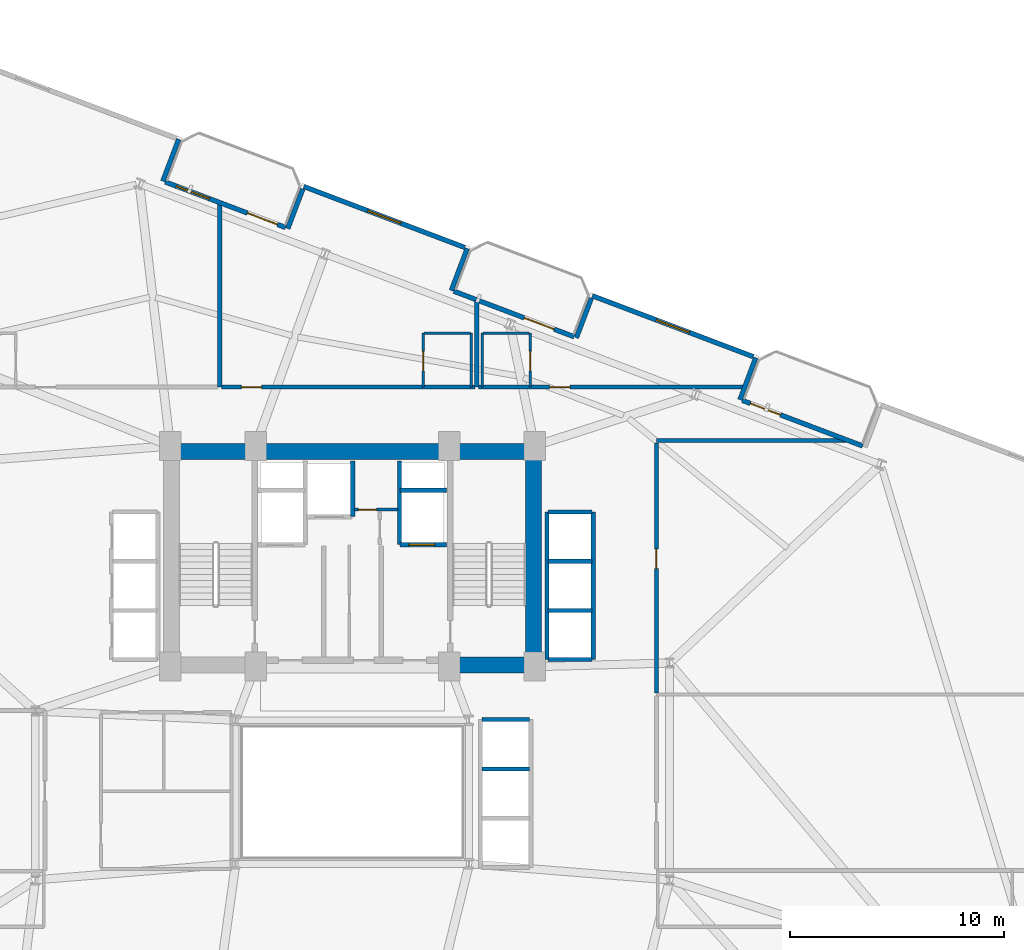
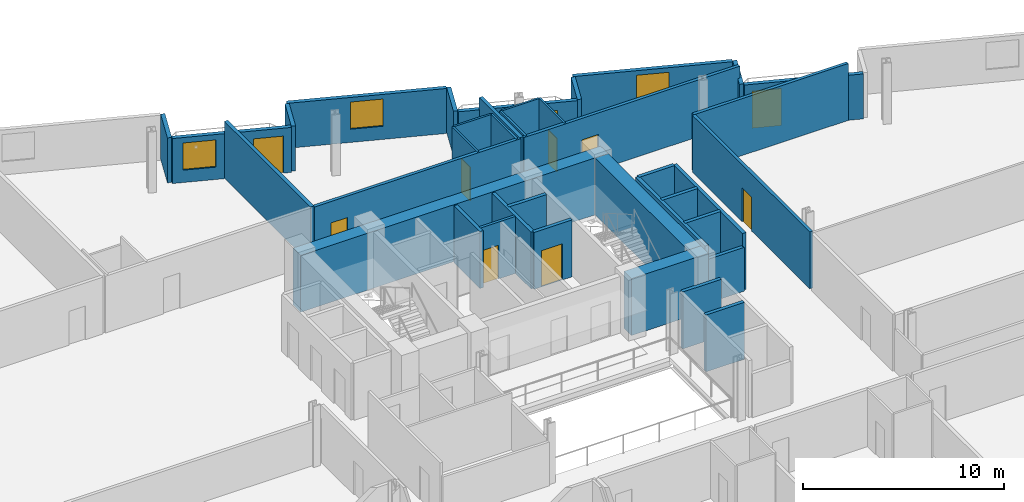
# One storey, part 21 of 26: 38 walls, 10 doors, 3 windows, 13 openings.
"""IFC4 building model written with IfcOpenShell, lengths in metres."""

from ifc_helpers import new_model, si_unit, direction, frame, frame_2d, origin, place, context, subcontext, project, spatial, rectangle, extrude, material, layer, layer_set, type_object, element, fill, save


model = new_model("IFC4")

# Units and contexts
model_context = context("Model", 3, precision=1e-05, world=origin(), true_north=direction((0.0, 1.0)))
body_context = subcontext(model_context, "Body", "Model", "MODEL_VIEW")
ifc_project = project(units=[si_unit("LENGTHUNIT", "METRE"), si_unit("AREAUNIT", "SQUARE_METRE"), si_unit("VOLUMEUNIT", "CUBIC_METRE"), si_unit("PLANEANGLEUNIT", "RADIAN"), si_unit("MASSUNIT", "GRAM", prefix="KILO")], contexts=[model_context])

# Site, building, storey
site_placement = place(None, origin())
site = spatial("IfcSite", under=ifc_project, at=site_placement, CompositionType="ELEMENT")
building_placement = place(site_placement, origin())
building = spatial("IfcBuilding", under=site, at=building_placement, Name="Varnelok Gate Tower", CompositionType="ELEMENT")
storey_placement = place(building_placement, frame((0.0, 0.0, 109.5)))
storey = spatial("IfcBuildingStorey", under=building, at=storey_placement, Name="L27", CompositionType="ELEMENT", Elevation=109.5)

# Wall, openings, door, window
ifc_material_1 = material(Name="Concrete C45/55", Category="concrete")
ifc_layer_1 = layer(ifc_material_1, 0.219970703125)
ifc_layer_set_1 = layer_set([ifc_layer_1], Name="Concrete C45/55")
wall_type_1 = type_object("IfcWallType", Name="EW-BALC-220", PredefinedType="SOLIDWALL", material=ifc_layer_set_1)
wall_1_placement = place(storey_placement, frame((30.465087890625, 51.37158203125, 0.0), z_axis=(0.0, 0.0, 1.0), x_axis=(0.935227640088, -0.354046976001, 0.0)))
wall_1 = element("IfcWall", 1, at=wall_1_placement, inside=storey, type_object=wall_type_1, Name="L27 North Terrace Envelope Wall 4", PredefinedType="SOLIDWALL", context=body_context, shape_type="SweptSolid", body=[
    extrude(rectangle(XDim=6.0, YDim=0.219970703125, at=frame_2d((3.0, 0.0))), origin(), (0.0, 0.0, 1.0), 2.72998046875),
])
opening_1_placement = place(wall_1_placement, frame((4.10009765625, 0.0, 0.0)))
opening_1 = element("IfcOpeningElement", 2, at=opening_1_placement, cuts=wall_1, Name="Opening BD-1", PredefinedType="OPENING", context=body_context, shape_type="SweptSolid", body=[
    extrude(rectangle(XDim=1.5, YDim=2.25, at=frame_2d((0.75, 1.125))), frame((0.0, 0.119873046875, 0.0), z_axis=(0.0, -1.0, 0.0), x_axis=(1.0, 0.0, 0.0)), (0.0, 0.0, 1.0), 0.239990234375),
])
opening_2_placement = place(wall_1_placement, frame((0.550048828125, 0.0, 0.75)))
opening_2 = element("IfcOpeningElement", 3, at=opening_2_placement, cuts=wall_1, Name="Opening WN3", PredefinedType="OPENING", context=body_context, shape_type="SweptSolid", body=[
    extrude(rectangle(XDim=1.64990234375, YDim=1.64990234375, at=frame_2d((0.824951171875, 0.824951171875))), frame((0.0, 0.119873046875, 0.0), z_axis=(0.0, -1.0, 0.0), x_axis=(1.0, 0.0, 0.0)), (0.0, 0.0, 1.0), 0.239990234375),
])
ifc_material_2 = material(Name="Anodized Aluminum Alloy 6063-T6", Category="aluminium")
door_type_1 = type_object("IfcDoorType", Name="DR-EXT-BALC1500", OperationType="NOTDEFINED", PredefinedType="DOOR", material=ifc_material_2)
door_1_placement = place(opening_1_placement, origin())
door_1 = element("IfcDoor", 4, at=door_1_placement, inside=storey, type_object=door_type_1, Name="L27 North Balcony Glazed Door 4", OperationType="SINGLE_SWING_LEFT", OverallHeight=2.25, OverallWidth=1.5, PredefinedType="DOOR", context=body_context, shape_type="SweptSolid", body=[
    extrude(rectangle(XDim=1.5, YDim=2.25, at=frame_2d((0.75, 1.125))), frame((0.0, 0.02490234375, 0.0), z_axis=(0.0, -1.0, 0.0), x_axis=(1.0, 0.0, 0.0)), (0.0, 0.0, 1.0), 0.050048828125),
])
fill(opening_1, door_1)
ifc_material_3 = material(Name="Low-E Laminated Double Glazing IGU", Category="glass")
window_type = type_object("IfcWindowType", Name="WN-HTL-1650", PartitioningType="SINGLE_PANEL", PredefinedType="WINDOW", material=ifc_material_3)
window_1_placement = place(opening_2_placement, origin())
window_1 = element("IfcWindow", 5, at=window_1_placement, inside=storey, type_object=window_type, Name="L27 North Vision Window 4.1", OverallHeight=1.64990234375, OverallWidth=1.64990234375, PartitioningType="SINGLE_PANEL", PredefinedType="WINDOW", context=body_context, shape_type="SweptSolid", body=[
    extrude(rectangle(XDim=1.64990234375, YDim=1.64990234375, at=frame_2d((0.824951171875, 0.824951171875))), frame((0.0, 0.030029296875, 0.0), z_axis=(0.0, -1.0, 0.0), x_axis=(1.0, 0.0, 0.0)), (0.0, 0.0, 1.0), 0.06005859375),
])
fill(opening_2, window_1)

# Wall, opening, door
wall_2_placement = place(storey_placement, frame((43.932373046875, 46.273193359375, 0.0), z_axis=(0.0, 0.0, 1.0), x_axis=(0.93521416643, -0.354082565101, 0.0)))
wall_2 = element("IfcWall", 6, at=wall_2_placement, inside=storey, type_object=wall_type_1, Name="L27 North Terrace Envelope Wall 5", PredefinedType="SOLIDWALL", context=body_context, shape_type="SweptSolid", body=[
    extrude(rectangle(XDim=6.0, YDim=0.219970703125, at=frame_2d((3.0, 0.0))), origin(), (0.0, 0.0, 1.0), 2.72998046875),
])
opening_3_placement = place(wall_2_placement, frame((3.508056640625, 0.0, 0.0)))
opening_3 = element("IfcOpeningElement", 7, at=opening_3_placement, cuts=wall_2, Name="Opening BD-1", PredefinedType="OPENING", context=body_context, shape_type="SweptSolid", body=[
    extrude(rectangle(XDim=1.5, YDim=2.25, at=frame_2d((0.75, 1.125))), frame((0.0, 0.119873046875, 0.0), z_axis=(0.0, -1.0, 0.0), x_axis=(1.0, 0.0, 0.0)), (0.0, 0.0, 1.0), 0.239990234375),
])
door_2_placement = place(opening_3_placement, origin())
door_2 = element("IfcDoor", 8, at=door_2_placement, inside=storey, type_object=door_type_1, Name="L27 North Balcony Glazed Door 5", OperationType="SINGLE_SWING_RIGHT", OverallHeight=2.25, OverallWidth=1.5, PredefinedType="DOOR", context=body_context, shape_type="SweptSolid", body=[
    extrude(rectangle(XDim=1.5, YDim=2.25, at=frame_2d((0.75, 1.125))), frame((0.0, 0.02490234375, 0.0), z_axis=(0.0, -1.0, 0.0), x_axis=(1.0, 0.0, 0.0)), (0.0, 0.0, 1.0), 0.050048828125),
])
fill(opening_3, door_2)

wall_3_placement = place(storey_placement, frame((57.3994140625, 41.174560546875, 0.0), z_axis=(0.0, 0.0, 1.0), x_axis=(0.935227640088, -0.354046976001, 0.0)))
wall_3 = element("IfcWall", 9, at=wall_3_placement, inside=storey, type_object=wall_type_1, Name="L27 North Terrace Envelope Wall 6", PredefinedType="SOLIDWALL", context=body_context, shape_type="SweptSolid", body=[
    extrude(rectangle(XDim=6.0, YDim=0.219970703125, at=frame_2d((3.0, 0.0))), origin(), (0.0, 0.0, 1.0), 2.72998046875),
])
opening_4_placement = place(wall_3_placement, frame((0.39990234375, 0.0, 0.0)))
opening_4 = element("IfcOpeningElement", 10, at=opening_4_placement, cuts=wall_3, Name="Opening BD-1", PredefinedType="OPENING", context=body_context, shape_type="SweptSolid", body=[
    extrude(rectangle(XDim=1.5, YDim=2.25, at=frame_2d((0.75, 1.125))), frame((0.0, 0.119873046875, 0.0), z_axis=(0.0, -1.0, 0.0), x_axis=(1.0, 0.0, 0.0)), (0.0, 0.0, 1.0), 0.239990234375),
])
door_3_placement = place(opening_4_placement, origin())
door_3 = element("IfcDoor", 11, at=door_3_placement, inside=storey, type_object=door_type_1, Name="L27 North Balcony Glazed Door 6", OperationType="SINGLE_SWING_LEFT", OverallHeight=2.25, OverallWidth=1.5, PredefinedType="DOOR", context=body_context, shape_type="SweptSolid", body=[
    extrude(rectangle(XDim=1.5, YDim=2.25, at=frame_2d((0.75, 1.125))), frame((0.0, 0.02490234375, 0.0), z_axis=(0.0, -1.0, 0.0), x_axis=(1.0, 0.0, 0.0)), (0.0, 0.0, 1.0), 0.050048828125),
])
fill(opening_4, door_3)

# Wall
wall_4_placement = place(storey_placement, frame((57.28369140625, 41.207763671875, 0.0), z_axis=(0.0, 0.0, 1.0), x_axis=(0.354128469405, 0.935196785258, 0.0)))
element("IfcWall", 12, at=wall_4_placement, inside=storey, type_object=wall_type_1, Name="L27 Perimeter Facade Closure Wall 31", PredefinedType="SOLIDWALL", context=body_context, shape_type="SweptSolid", body=[
    extrude(rectangle(XDim=2.099853515625, YDim=0.219970703125, at=frame_2d((1.0498046875, 0.0))), origin(), (0.0, 0.0, 1.0), 2.72998046875),
])

# Wall, opening, window
wall_5_placement = place(storey_placement, frame((57.910400390625, 43.2158203125, 0.0), z_axis=(0.0, 0.0, 1.0), x_axis=(-0.935220736163, 0.354065212427, 0.0)))
wall_5 = element("IfcWall", 13, at=wall_5_placement, inside=storey, type_object=wall_type_1, Name="L27 Perimeter Facade Closure Wall 32", PredefinedType="SOLIDWALL", context=body_context, shape_type="SweptSolid", body=[
    extrude(rectangle(XDim=8.03515625, YDim=0.219970703125, at=frame_2d((4.017578125, 0.0))), origin(), (0.0, 0.0, 1.0), 2.72998046875),
])
opening_5_placement = place(wall_5_placement, frame((3.1923828125, 0.0, 0.800048828125)))
opening_5 = element("IfcOpeningElement", 14, at=opening_5_placement, cuts=wall_5, Name="Opening WN3", PredefinedType="OPENING", context=body_context, shape_type="SweptSolid", body=[
    extrude(rectangle(XDim=1.64990234375, YDim=1.64990234375, at=frame_2d((0.824951171875, 0.824951171875))), frame((0.0, 0.119873046875, 0.0), z_axis=(0.0, -1.0, 0.0), x_axis=(1.0, 0.0, 0.0)), (0.0, 0.0, 1.0), 0.239990234375),
])
window_2_placement = place(opening_5_placement, origin())
window_2 = element("IfcWindow", 15, at=window_2_placement, inside=storey, type_object=window_type, Name="L27 Perimeter Vision Window 32", OverallHeight=1.64990234375, OverallWidth=1.64990234375, PartitioningType="SINGLE_PANEL", PredefinedType="WINDOW", context=body_context, shape_type="SweptSolid", body=[
    extrude(rectangle(XDim=1.64990234375, YDim=1.64990234375, at=frame_2d((0.824951171875, 0.824951171875))), frame((0.0, 0.030029296875, 0.0), z_axis=(0.0, -1.0, 0.0), x_axis=(1.0, 0.0, 0.0)), (0.0, 0.0, 1.0), 0.06005859375),
])
fill(opening_5, window_2)

# Walls
wall_6_placement = place(storey_placement, frame((50.3515625, 45.94384765625, 0.0), z_axis=(0.0, 0.0, 1.0), x_axis=(-0.354061611705, -0.935222099352, 0.0)))
element("IfcWall", 16, at=wall_6_placement, inside=storey, type_object=wall_type_1, Name="L27 Perimeter Facade Closure Wall 33", PredefinedType="SOLIDWALL", context=body_context, shape_type="SweptSolid", body=[
    extrude(rectangle(XDim=1.974853515625, YDim=0.219970703125, at=frame_2d((0.9873046875, 0.0))), origin(), (0.0, 0.0, 1.0), 2.72998046875),
])
wall_7_placement = place(storey_placement, frame((43.816650390625, 46.30615234375, 0.0), z_axis=(0.0, 0.0, 1.0), x_axis=(0.353988291547, 0.935249854022, 0.0)))
element("IfcWall", 17, at=wall_7_placement, inside=storey, type_object=wall_type_1, Name="L27 Perimeter Facade Closure Wall 34", PredefinedType="SOLIDWALL", context=body_context, shape_type="SweptSolid", body=[
    extrude(rectangle(XDim=2.10009765625, YDim=0.219970703125, at=frame_2d((1.050048828125, 0.0))), origin(), (0.0, 0.0, 1.0), 2.72998046875),
])

# Wall, opening, window
wall_8_placement = place(storey_placement, frame((44.443115234375, 48.314453125, 0.0), z_axis=(0.0, 0.0, 1.0), x_axis=(-0.935226988293, 0.354048697735, 0.0)))
wall_8 = element("IfcWall", 18, at=wall_8_placement, inside=storey, type_object=wall_type_1, Name="L27 Perimeter Facade Closure Wall 35", PredefinedType="SOLIDWALL", context=body_context, shape_type="SweptSolid", body=[
    extrude(rectangle(XDim=8.034912109375, YDim=0.219970703125, at=frame_2d((4.017578125, 0.0))), origin(), (0.0, 0.0, 1.0), 2.72998046875),
])
opening_6_placement = place(wall_8_placement, frame((3.1923828125, 0.0, 0.800048828125)))
opening_6 = element("IfcOpeningElement", 19, at=opening_6_placement, cuts=wall_8, Name="Opening WN3", PredefinedType="OPENING", context=body_context, shape_type="SweptSolid", body=[
    extrude(rectangle(XDim=1.64990234375, YDim=1.64990234375, at=frame_2d((0.824951171875, 0.824951171875))), frame((0.0, 0.119873046875, 0.0), z_axis=(0.0, -1.0, 0.0), x_axis=(1.0, 0.0, 0.0)), (0.0, 0.0, 1.0), 0.239990234375),
])
window_3_placement = place(opening_6_placement, origin())
window_3 = element("IfcWindow", 20, at=window_3_placement, inside=storey, type_object=window_type, Name="L27 Perimeter Vision Window 35", OverallHeight=1.64990234375, OverallWidth=1.64990234375, PartitioningType="SINGLE_PANEL", PredefinedType="WINDOW", context=body_context, shape_type="SweptSolid", body=[
    extrude(rectangle(XDim=1.64990234375, YDim=1.64990234375, at=frame_2d((0.824951171875, 0.824951171875))), frame((0.0, 0.030029296875, 0.0), z_axis=(0.0, -1.0, 0.0), x_axis=(1.0, 0.0, 0.0)), (0.0, 0.0, 1.0), 0.06005859375),
])
fill(opening_6, window_3)

# Walls
wall_9_placement = place(storey_placement, frame((36.884521484375, 51.04248046875, 0.0), z_axis=(0.0, 0.0, 1.0), x_axis=(-0.354128791944, -0.935196663123, 0.0)))
element("IfcWall", 21, at=wall_9_placement, inside=storey, type_object=wall_type_1, Name="L27 Perimeter Facade Closure Wall 36", PredefinedType="SOLIDWALL", context=body_context, shape_type="SweptSolid", body=[
    extrude(rectangle(XDim=1.97509765625, YDim=0.219970703125, at=frame_2d((0.987548828125, 0.0))), origin(), (0.0, 0.0, 1.0), 2.72998046875),
])
wall_10_placement = place(storey_placement, frame((30.349365234375, 51.40478515625, 0.0), z_axis=(0.0, 0.0, 1.0), x_axis=(0.354128469405, 0.935196785258, 0.0)))
element("IfcWall", 22, at=wall_10_placement, inside=storey, type_object=wall_type_1, Name="L27 Perimeter Facade Closure Wall 37", PredefinedType="SOLIDWALL", context=body_context, shape_type="SweptSolid", body=[
    extrude(rectangle(XDim=2.099853515625, YDim=0.219970703125, at=frame_2d((1.0498046875, 0.0))), origin(), (0.0, 0.0, 1.0), 2.72998046875),
])

# Wall, opening, door
ifc_material_4 = material(Name="Gypsum Plasterboard Acoustic Partition", Category="gypsum")
ifc_layer_2 = layer(ifc_material_4, 0.179931640625)
ifc_layer_set_2 = layer_set([ifc_layer_2], Name="Gypsum Plasterboard Acoustic Partition")
wall_type_2 = type_object("IfcWallType", Name="PW-CORR-180", PredefinedType="PARTITIONING", material=ifc_layer_set_2)
wall_11_placement = place(storey_placement, frame((33.080078125, 41.800048828125, 0.0), z_axis=(0.0, 0.0, 1.0), x_axis=(1.0, 0.0, 0.0)))
wall_11 = element("IfcWall", 23, at=wall_11_placement, inside=storey, type_object=wall_type_2, Name="Interior Partition", PredefinedType="PARTITIONING", context=body_context, shape_type="SweptSolid", body=[
    extrude(rectangle(XDim=11.83984375, YDim=0.179931640625, at=frame_2d((5.919921875, 0.0))), origin(), (0.0, 0.0, 1.0), 3.449951171875),
])
opening_7_placement = place(wall_11_placement, frame((0.936279296875, 0.0, 0.0)))
opening_7 = element("IfcOpeningElement", 24, at=opening_7_placement, cuts=wall_11, Name="Opening D-HT", PredefinedType="OPENING", context=body_context, shape_type="SweptSolid", body=[
    extrude(rectangle(XDim=0.949951171875, YDim=2.14990234375, at=frame_2d((0.47509765625, 1.074951171875))), frame((0.0, 0.099853515625, 0.0), z_axis=(0.0, -1.0, 0.0), x_axis=(1.0, 0.0, 0.0)), (0.0, 0.0, 1.0), 0.199951171875),
])
ifc_material_5 = material(Name="Engineered Hardwood Timber", Category="wood")
door_type_2 = type_object("IfcDoorType", Name="DR-HTL-950", OperationType="NOTDEFINED", PredefinedType="DOOR", material=ifc_material_5)
door_4_placement = place(opening_7_placement, origin())
door_4 = element("IfcDoor", 25, at=door_4_placement, inside=storey, type_object=door_type_2, Name="L27 Guest Room 10 Entrance Door", OperationType="SINGLE_SWING_LEFT", OverallHeight=2.14990234375, OverallWidth=0.949951171875, PredefinedType="DOOR", context=body_context, shape_type="SweptSolid", body=[
    extrude(rectangle(XDim=0.949951171875, YDim=2.14990234375, at=frame_2d((0.47509765625, 1.074951171875))), frame((0.0, 0.02490234375, 0.0), z_axis=(0.0, -1.0, 0.0), x_axis=(1.0, 0.0, 0.0)), (0.0, 0.0, 1.0), 0.050048828125),
])
fill(opening_7, door_4)

wall_12_placement = place(storey_placement, frame((45.080078125, 41.800048828125, 0.0), z_axis=(0.0, 0.0, 1.0), x_axis=(1.0, 0.0, 0.0)))
wall_12 = element("IfcWall", 26, at=wall_12_placement, inside=storey, type_object=wall_type_2, Name="Interior Partition", PredefinedType="PARTITIONING", context=body_context, shape_type="SweptSolid", body=[
    extrude(rectangle(XDim=12.406494140625, YDim=0.179931640625, at=frame_2d((6.203125, 0.0))), origin(), (0.0, 0.0, 1.0), 3.449951171875),
])
opening_8_placement = place(wall_12_placement, frame((3.328857421875, 0.0, 0.0)))
opening_8 = element("IfcOpeningElement", 27, at=opening_8_placement, cuts=wall_12, Name="Opening D-HT", PredefinedType="OPENING", context=body_context, shape_type="SweptSolid", body=[
    extrude(rectangle(XDim=0.949951171875, YDim=2.14990234375, at=frame_2d((0.47509765625, 1.074951171875))), frame((0.0, 0.099853515625, 0.0), z_axis=(0.0, -1.0, 0.0), x_axis=(1.0, 0.0, 0.0)), (0.0, 0.0, 1.0), 0.199951171875),
])
door_5_placement = place(opening_8_placement, origin())
door_5 = element("IfcDoor", 28, at=door_5_placement, inside=storey, type_object=door_type_2, Name="L27 Guest Room 11 Entrance Door", OperationType="SINGLE_SWING_RIGHT", OverallHeight=2.14990234375, OverallWidth=0.949951171875, PredefinedType="DOOR", context=body_context, shape_type="SweptSolid", body=[
    extrude(rectangle(XDim=0.949951171875, YDim=2.14990234375, at=frame_2d((0.47509765625, 1.074951171875))), frame((0.0, 0.02490234375, 0.0), z_axis=(0.0, -1.0, 0.0), x_axis=(1.0, 0.0, 0.0)), (0.0, 0.0, 1.0), 0.050048828125),
])
fill(opening_8, door_5)

wall_13_placement = place(storey_placement, frame((53.389892578125, 27.530029296875, 0.0), z_axis=(0.0, 0.0, 1.0), x_axis=(0.0, 1.0, 0.0)))
wall_13 = element("IfcWall", 29, at=wall_13_placement, inside=storey, type_object=wall_type_2, Name="Interior Partition", PredefinedType="PARTITIONING", context=body_context, shape_type="SweptSolid", body=[
    extrude(rectangle(XDim=11.669921875, YDim=0.179931640625, at=frame_2d((5.8349609375, 0.0))), origin(), (0.0, 0.0, 1.0), 3.449951171875),
])
opening_9_placement = place(wall_13_placement, frame((5.800048828125, 0.0, 0.0)))
opening_9 = element("IfcOpeningElement", 30, at=opening_9_placement, cuts=wall_13, Name="Opening D-I3", PredefinedType="OPENING", context=body_context, shape_type="SweptSolid", body=[
    extrude(rectangle(XDim=0.919921875, YDim=2.050048828125, at=frame_2d((0.4599609375, 1.02490234375))), frame((0.0, 0.099853515625, 0.0), z_axis=(0.0, -1.0, 0.0), x_axis=(1.0, 0.0, 0.0)), (0.0, 0.0, 1.0), 0.199951171875),
])
door_type_3 = type_object("IfcDoorType", Name="DR-INT-920", OperationType="NOTDEFINED", PredefinedType="DOOR", material=ifc_material_5)
door_6_placement = place(opening_9_placement, origin())
door_6 = element("IfcDoor", 31, at=door_6_placement, inside=storey, type_object=door_type_3, Name="L27 East Suite 2 Door", OperationType="SINGLE_SWING_RIGHT", OverallHeight=2.050048828125, OverallWidth=0.919921875, PredefinedType="DOOR", context=body_context, shape_type="SweptSolid", body=[
    extrude(rectangle(XDim=0.919921875, YDim=2.050048828125, at=frame_2d((0.4599609375, 1.02490234375))), frame((0.0, 0.02490234375, 0.0), z_axis=(0.0, -1.0, 0.0), x_axis=(1.0, 0.0, 0.0)), (0.0, 0.0, 1.0), 0.050048828125),
])
fill(opening_9, door_6)

# Walls
wall_14_placement = place(storey_placement, frame((53.389892578125, 39.300048828125, 0.0), z_axis=(0.0, 0.0, 1.0), x_axis=(1.0, 0.0, 0.0)))
element("IfcWall", 32, at=wall_14_placement, inside=storey, type_object=wall_type_2, Name="Interior Partition", PredefinedType="PARTITIONING", context=body_context, shape_type="SweptSolid", body=[
    extrude(rectangle(XDim=8.87646484375, YDim=0.179931640625, at=frame_2d((4.438232421875, 0.0))), origin(), (0.0, 0.0, 1.0), 3.449951171875),
])
ifc_layer_3 = layer(ifc_material_4, 0.114990234375)
ifc_layer_set_3 = layer_set([ifc_layer_3], Name="Gypsum Plasterboard Acoustic Partition")
wall_type_3 = type_object("IfcWallType", Name="PW-ENS-125", PredefinedType="PARTITIONING", material=ifc_layer_set_3)
wall_15_placement = place(storey_placement, frame((42.550048828125, 44.320068359375, 0.0), z_axis=(0.0, 0.0, 1.0), x_axis=(1.0, 0.0, 0.0)))
element("IfcWall", 33, at=wall_15_placement, inside=storey, type_object=wall_type_3, Name="Interior Partition", PredefinedType="PARTITIONING", context=body_context, shape_type="SweptSolid", body=[
    extrude(rectangle(XDim=2.14990234375, YDim=0.114990234375, at=frame_2d((1.074951171875, 0.0))), origin(), (0.0, 0.0, 1.0), 3.449951171875),
])

# Wall, opening, door
wall_16_placement = place(storey_placement, frame((42.510009765625, 41.800048828125, 0.0), z_axis=(0.0, 0.0, 1.0), x_axis=(0.0, 1.0, 0.0)))
wall_16 = element("IfcWall", 34, at=wall_16_placement, inside=storey, type_object=wall_type_3, Name="Interior Partition", PredefinedType="PARTITIONING", context=body_context, shape_type="SweptSolid", body=[
    extrude(rectangle(XDim=2.52001953125, YDim=0.114990234375, at=frame_2d((1.260009765625, 0.0))), origin(), (0.0, 0.0, 1.0), 3.449951171875),
])
opening_10_placement = place(wall_16_placement, frame((0.760009765625, 0.0, 0.0)))
opening_10 = element("IfcOpeningElement", 35, at=opening_10_placement, cuts=wall_16, Name="Opening D-WC", PredefinedType="OPENING", context=body_context, shape_type="SweptSolid", body=[
    extrude(rectangle(XDim=0.89990234375, YDim=2.050048828125, at=frame_2d((0.449951171875, 1.02490234375))), frame((0.0, 0.0673828125, 0.0), z_axis=(0.0, -1.0, 0.0), x_axis=(1.0, 0.0, 0.0)), (0.0, 0.0, 1.0), 0.135009765625),
])
door_type_4 = type_object("IfcDoorType", Name="DR-BATH-900", OperationType="NOTDEFINED", PredefinedType="DOOR", material=ifc_material_5)
door_7_placement = place(opening_10_placement, origin())
door_7 = element("IfcDoor", 36, at=door_7_placement, inside=storey, type_object=door_type_4, Name="L27 North En-Suite 10 Door", OperationType="SINGLE_SWING_LEFT", OverallHeight=2.050048828125, OverallWidth=0.89990234375, PredefinedType="DOOR", context=body_context, shape_type="SweptSolid", body=[
    extrude(rectangle(XDim=0.89990234375, YDim=2.050048828125, at=frame_2d((0.449951171875, 1.02490234375))), frame((0.0, 0.02490234375, 0.0), z_axis=(0.0, -1.0, 0.0), x_axis=(1.0, 0.0, 0.0)), (0.0, 0.0, 1.0), 0.050048828125),
])
fill(opening_10, door_7)

# Walls
wall_17_placement = place(storey_placement, frame((44.739990234375, 41.800048828125, 0.0), z_axis=(0.0, 0.0, 1.0), x_axis=(0.0, 1.0, 0.0)))
element("IfcWall", 37, at=wall_17_placement, inside=storey, type_object=wall_type_3, Name="Interior Partition", PredefinedType="PARTITIONING", context=body_context, shape_type="SweptSolid", body=[
    extrude(rectangle(XDim=2.52001953125, YDim=0.114990234375, at=frame_2d((1.260009765625, 0.0))), origin(), (0.0, 0.0, 1.0), 3.449951171875),
])
wall_18_placement = place(storey_placement, frame((45.300048828125, 44.320068359375, 0.0), z_axis=(0.0, 0.0, 1.0), x_axis=(1.0, 0.0, 0.0)))
element("IfcWall", 38, at=wall_18_placement, inside=storey, type_object=wall_type_3, Name="Interior Partition", PredefinedType="PARTITIONING", context=body_context, shape_type="SweptSolid", body=[
    extrude(rectangle(XDim=2.14990234375, YDim=0.114990234375, at=frame_2d((1.074951171875, 0.0))), origin(), (0.0, 0.0, 1.0), 3.449951171875),
])

# Wall, opening, door
wall_19_placement = place(storey_placement, frame((47.489990234375, 41.800048828125, 0.0), z_axis=(0.0, 0.0, 1.0), x_axis=(0.0, 1.0, 0.0)))
wall_19 = element("IfcWall", 39, at=wall_19_placement, inside=storey, type_object=wall_type_3, Name="Interior Partition", PredefinedType="PARTITIONING", context=body_context, shape_type="SweptSolid", body=[
    extrude(rectangle(XDim=2.52001953125, YDim=0.114990234375, at=frame_2d((1.260009765625, 0.0))), origin(), (0.0, 0.0, 1.0), 3.449951171875),
])
opening_11_placement = place(wall_19_placement, frame((0.760009765625, 0.0, 0.0)))
opening_11 = element("IfcOpeningElement", 40, at=opening_11_placement, cuts=wall_19, Name="Opening D-WC", PredefinedType="OPENING", context=body_context, shape_type="SweptSolid", body=[
    extrude(rectangle(XDim=0.89990234375, YDim=2.050048828125, at=frame_2d((0.449951171875, 1.02490234375))), frame((0.0, 0.0673828125, 0.0), z_axis=(0.0, -1.0, 0.0), x_axis=(1.0, 0.0, 0.0)), (0.0, 0.0, 1.0), 0.135009765625),
])
door_8_placement = place(opening_11_placement, origin())
door_8 = element("IfcDoor", 41, at=door_8_placement, inside=storey, type_object=door_type_4, Name="L27 North En-Suite 11 Door", OperationType="SINGLE_SWING_RIGHT", OverallHeight=2.050048828125, OverallWidth=0.89990234375, PredefinedType="DOOR", context=body_context, shape_type="SweptSolid", body=[
    extrude(rectangle(XDim=0.89990234375, YDim=2.050048828125, at=frame_2d((0.449951171875, 1.02490234375))), frame((0.0, 0.02490234375, 0.0), z_axis=(0.0, -1.0, 0.0), x_axis=(1.0, 0.0, 0.0)), (0.0, 0.0, 1.0), 0.050048828125),
])
fill(opening_11, door_8)

# Wall
wall_20_placement = place(storey_placement, frame((45.260009765625, 41.800048828125, 0.0), z_axis=(0.0, 0.0, 1.0), x_axis=(0.0, 1.0, 0.0)))
element("IfcWall", 42, at=wall_20_placement, inside=storey, type_object=wall_type_3, Name="Interior Partition", PredefinedType="PARTITIONING", context=body_context, shape_type="SweptSolid", body=[
    extrude(rectangle(XDim=2.52001953125, YDim=0.114990234375, at=frame_2d((1.260009765625, 0.0))), origin(), (0.0, 0.0, 1.0), 3.449951171875),
])

# Wall, opening, door
ifc_layer_4 = layer(ifc_material_4, 0.14990234375)
ifc_layer_set_4 = layer_set([ifc_layer_4], Name="Gypsum Plasterboard Acoustic Partition")
wall_type_4 = type_object("IfcWallType", Name="PW-PART-150", PredefinedType="PARTITIONING", material=ifc_layer_set_4)
wall_21_placement = place(storey_placement, frame((39.300048828125, 36.080078125, 0.0), z_axis=(0.0, 0.0, 1.0), x_axis=(1.0, 0.0, 0.0)))
wall_21 = element("IfcWall", 43, at=wall_21_placement, inside=storey, type_object=wall_type_4, Name="L27 Electrical Closet South Wall", PredefinedType="PARTITIONING", context=body_context, shape_type="SweptSolid", body=[
    extrude(rectangle(XDim=2.02001953125, YDim=0.14990234375, at=frame_2d((1.010009765625, 0.0))), origin(), (0.0, 0.0, 1.0), 3.449951171875),
])
opening_12_placement = place(wall_21_placement, frame((0.179931640625, 0.0, 0.0)))
opening_12 = element("IfcOpeningElement", 44, at=opening_12_placement, cuts=wall_21, Name="Opening D-RS", PredefinedType="OPENING", context=body_context, shape_type="SweptSolid", body=[
    extrude(rectangle(XDim=0.85009765625, YDim=2.050048828125, at=frame_2d((0.425048828125, 1.02490234375))), frame((0.0, 0.0849609375, 0.0), z_axis=(0.0, -1.0, 0.0), x_axis=(1.0, 0.0, 0.0)), (0.0, 0.0, 1.0), 0.169921875),
])
ifc_material_6 = material(Name="Galvanized Steel Grade S350GD", Category="steel")
door_type_5 = type_object("IfcDoorType", Name="DR-RISER-850", OperationType="NOTDEFINED", PredefinedType="DOOR", material=ifc_material_6)
door_9_placement = place(opening_12_placement, origin())
door_9 = element("IfcDoor", 45, at=door_9_placement, inside=storey, type_object=door_type_5, Name="L27 Electrical Closet Door", OperationType="SINGLE_SWING_RIGHT", OverallHeight=2.050048828125, OverallWidth=0.85009765625, PredefinedType="DOOR", context=body_context, shape_type="SweptSolid", body=[
    extrude(rectangle(XDim=0.85009765625, YDim=2.050048828125, at=frame_2d((0.425048828125, 1.02490234375))), frame((0.0, 0.02490234375, 0.0), z_axis=(0.0, -1.0, 0.0), x_axis=(1.0, 0.0, 0.0)), (0.0, 0.0, 1.0), 0.050048828125),
])
fill(opening_12, door_9)

# Walls
ifc_layer_5 = layer(ifc_material_4, 0.205078125)
ifc_layer_set_5 = layer_set([ifc_layer_5], Name="Gypsum Plasterboard Acoustic Partition")
wall_type_5 = type_object("IfcWallType", Name="PW-PARTY-200", PredefinedType="PARTITIONING", material=ifc_layer_set_5)
wall_22_placement = place(storey_placement, frame((33.0, 41.800048828125, 0.0), z_axis=(0.0, 0.0, 1.0), x_axis=(0.0, 1.0, 0.0)))
element("IfcWall", 46, at=wall_22_placement, inside=storey, type_object=wall_type_5, Name="L27 North Party Wall 2", PredefinedType="PARTITIONING", context=body_context, shape_type="SweptSolid", body=[
    extrude(rectangle(XDim=8.579833984375, YDim=0.205078125, at=frame_2d((4.2900390625, 0.0))), origin(), (0.0, 0.0, 1.0), 3.449951171875),
])
wall_23_placement = place(storey_placement, frame((45.0, 41.800048828125, 0.0), z_axis=(0.0, 0.0, 1.0), x_axis=(0.0, 1.0, 0.0)))
element("IfcWall", 47, at=wall_23_placement, inside=storey, type_object=wall_type_5, Name="L27 North Party Wall 3", PredefinedType="PARTITIONING", context=body_context, shape_type="SweptSolid", body=[
    extrude(rectangle(XDim=4.036865234375, YDim=0.205078125, at=frame_2d((2.0185546875, 0.0))), origin(), (0.0, 0.0, 1.0), 3.449951171875),
])

# Wall, opening, door
ifc_material_7 = material(Name="Concrete C35/45", Category="concrete")
ifc_layer_6 = layer(ifc_material_7, 0.199951171875)
ifc_layer_set_6 = layer_set([ifc_layer_6], Name="Concrete C35/45")
wall_type_6 = type_object("IfcWallType", Name="PW-SHAFT-200", PredefinedType="PARTITIONING", material=ifc_layer_set_6)
wall_24_placement = place(storey_placement, frame((41.419921875, 34.43994140625, 0.0), z_axis=(0.0, 0.0, 1.0), x_axis=(1.0, 0.0, 0.0)))
wall_24 = element("IfcWall", 48, at=wall_24_placement, inside=storey, type_object=wall_type_6, Name="L27 FF2 Shaft Front Wall", PredefinedType="PARTITIONING", context=body_context, shape_type="SweptSolid", body=[
    extrude(rectangle(XDim=2.18017578125, YDim=0.199951171875, at=frame_2d((1.090087890625, 0.0))), origin(), (0.0, 0.0, 1.0), 3.449951171875),
])
opening_13_placement = place(wall_24_placement, frame((0.419921875, 0.0, 0.0)))
opening_13 = element("IfcOpeningElement", 49, at=opening_13_placement, cuts=wall_24, Name="Opening LD-FF2", PredefinedType="OPENING", context=body_context, shape_type="SweptSolid", body=[
    extrude(rectangle(XDim=1.199951171875, YDim=2.199951171875, at=frame_2d((0.60009765625, 1.10009765625))), frame((0.0, 0.10986328125, 0.0), z_axis=(0.0, -1.0, 0.0), x_axis=(1.0, 0.0, 0.0)), (0.0, 0.0, 1.0), 0.219970703125),
])
door_type_6 = type_object("IfcDoorType", Name="DR-LIFT-FF1200", OperationType="SLIDING_TO_LEFT", PredefinedType="DOOR", material=ifc_material_6)
door_10_placement = place(opening_13_placement, origin())
door_10 = element("IfcDoor", 50, at=door_10_placement, inside=storey, type_object=door_type_6, Name="L27 Firefighting Lift Landing Door LD-FF2", OperationType="SLIDING_TO_LEFT", OverallHeight=2.199951171875, OverallWidth=1.199951171875, PredefinedType="DOOR", context=body_context, shape_type="SweptSolid", body=[
    extrude(rectangle(XDim=1.199951171875, YDim=2.199951171875, at=frame_2d((0.60009765625, 1.10009765625))), frame((0.0, 0.02490234375, 0.0), z_axis=(0.0, -1.0, 0.0), x_axis=(1.0, 0.0, 0.0)), (0.0, 0.0, 1.0), 0.050048828125),
])
fill(opening_13, door_10)

# Walls
wall_25_placement = place(storey_placement, frame((41.419921875, 36.97998046875, 0.0), z_axis=(0.0, 0.0, 1.0), x_axis=(1.0, 0.0, 0.0)))
element("IfcWall", 51, at=wall_25_placement, inside=storey, type_object=wall_type_6, Name="L27 FF2 Shaft North Wall", PredefinedType="PARTITIONING", context=body_context, shape_type="SweptSolid", body=[
    extrude(rectangle(XDim=2.18017578125, YDim=0.199951171875, at=frame_2d((1.090087890625, 0.0))), origin(), (0.0, 0.0, 1.0), 3.449951171875),
])
wall_26_placement = place(storey_placement, frame((41.39990234375, 34.43994140625, 0.0), z_axis=(0.0, 0.0, 1.0), x_axis=(0.0, 1.0, 0.0)))
element("IfcWall", 52, at=wall_26_placement, inside=storey, type_object=wall_type_6, Name="L27 FF2 Shaft Side Wall", PredefinedType="PARTITIONING", context=body_context, shape_type="SweptSolid", body=[
    extrude(rectangle(XDim=3.900146484375, YDim=0.199951171875, at=frame_2d((1.9501953125, 0.0))), origin(), (0.0, 0.0, 1.0), 3.449951171875),
])
wall_27_placement = place(storey_placement, frame((39.219970703125, 35.75, 0.0), z_axis=(0.0, 0.0, 1.0), x_axis=(0.0, 1.0, 0.0)))
element("IfcWall", 53, at=wall_27_placement, inside=storey, type_object=wall_type_6, Name="L27 SV1 Shaft East Wall", PredefinedType="PARTITIONING", context=body_context, shape_type="SweptSolid", body=[
    extrude(rectangle(XDim=2.590087890625, YDim=0.199951171875, at=frame_2d((1.294921875, 0.0))), origin(), (0.0, 0.0, 1.0), 3.449951171875),
])
for number, where, z_axis, x_axis, name in (
    (54, (48.320068359375, 31.375, 0.0), (0.0, 0.0, 1.0), (1.0, 0.0, 0.0), "L27 PM1 Divider"),
    (55, (48.320068359375, 33.675048828125, 0.0), (0.0, 0.0, 1.0), (1.0, 0.0, 0.0), "L27 PM2 Divider"),
):
    element("IfcWall", number, at=place(storey_placement, frame(where, z_axis=z_axis, x_axis=x_axis)), inside=storey, type_object=wall_type_6, Name=name, PredefinedType="PARTITIONING", context=body_context, shape_type="SweptSolid", body=[
        extrude(rectangle(XDim=2.059814453125, YDim=0.199951171875, at=frame_2d((1.02978515625, 0.0))), origin(), (0.0, 0.0, 1.0), 3.449951171875),
    ])
wall_28_placement = place(storey_placement, frame((48.320068359375, 29.080078125, 0.0), z_axis=(0.0, 0.0, 1.0), x_axis=(1.0, 0.0, 0.0)))
element("IfcWall", 56, at=wall_28_placement, inside=storey, type_object=wall_type_6, Name="L27 PM Bank South Wall", PredefinedType="PARTITIONING", context=body_context, shape_type="SweptSolid", body=[
    extrude(rectangle(XDim=2.059814453125, YDim=0.199951171875, at=frame_2d((1.02978515625, 0.0))), origin(), (0.0, 0.0, 1.0), 2.662109375),
])
wall_29_placement = place(storey_placement, frame((48.320068359375, 35.969970703125, 0.0), z_axis=(0.0, 0.0, 1.0), x_axis=(1.0, 0.0, 0.0)))
element("IfcWall", 57, at=wall_29_placement, inside=storey, type_object=wall_type_6, Name="L27 PM Bank North Wall", PredefinedType="PARTITIONING", context=body_context, shape_type="SweptSolid", body=[
    extrude(rectangle(XDim=2.059814453125, YDim=0.199951171875, at=frame_2d((1.02978515625, 0.0))), origin(), (0.0, 0.0, 1.0), 3.449951171875),
])
for number, where, z_axis, x_axis, name in (
    (58, (48.280029296875, 29.080078125, 0.0), (0.0, 0.0, 1.0), (0.0, 1.0, 0.0), "L27 PM Bank Back Wall"),
    (59, (50.43994140625, 29.080078125, 0.0), (0.0, 0.0, 1.0), (0.0, 1.0, 0.0), "L27 PM Bank Front Wall"),
):
    element("IfcWall", number, at=place(storey_placement, frame(where, z_axis=z_axis, x_axis=x_axis)), inside=storey, type_object=wall_type_6, Name=name, PredefinedType="PARTITIONING", context=body_context, shape_type="SweptSolid", body=[
        extrude(rectangle(XDim=6.889892578125, YDim=0.199951171875, at=frame_2d((3.44482421875, 0.0))), origin(), (0.0, 0.0, 1.0), 3.449951171875),
    ])
for number, where, z_axis, x_axis, name in (
    (60, (45.239990234375, 23.97509765625, 0.0), (0.0, 0.0, 1.0), (1.0, 0.0, 0.0), "L27 PH2 Divider"),
    (61, (45.239990234375, 26.280029296875, 0.0), (0.0, 0.0, 1.0), (1.0, 0.0, 0.0), "L27 PH Bank North Wall"),
):
    element("IfcWall", number, at=place(storey_placement, frame(where, z_axis=z_axis, x_axis=x_axis)), inside=storey, type_object=wall_type_6, Name=name, PredefinedType="PARTITIONING", context=body_context, shape_type="SweptSolid", body=[
        extrude(rectangle(XDim=2.219970703125, YDim=0.199951171875, at=frame_2d((1.10986328125, 0.0))), origin(), (0.0, 0.0, 1.0), 3.449951171875),
    ])
ifc_material_8 = material(Name="Concrete C70/85", Category="concrete")
ifc_layer_7 = layer(ifc_material_8, 0.75)
ifc_layer_set_7 = layer_set([ifc_layer_7], Name="Concrete C70/85")
wall_type_7 = type_object("IfcWallType", Name="SW-CORE-750", PredefinedType="SHEAR", material=ifc_layer_set_7)
wall_30_placement = place(storey_placement, frame((30.3798828125, 38.794921875, 0.0), z_axis=(0.0, 0.0, 1.0), x_axis=(1.0, 0.0, 0.0)))
element("IfcWall", 62, at=wall_30_placement, inside=storey, type_object=wall_type_7, Name="L27 Rear Core North Shear Wall", PredefinedType="SHEAR", context=body_context, shape_type="SweptSolid", body=[
    extrude(rectangle(XDim=17.64013671875, YDim=0.75, at=frame_2d((8.820068359375, 0.0))), origin(), (0.0, 0.0, 1.0), 3.449951171875),
])
wall_31_placement = place(storey_placement, frame((47.64501953125, 29.199951171875, 0.0), z_axis=(0.0, 0.0, 1.0), x_axis=(0.0, 1.0, 0.0)))
element("IfcWall", 63, at=wall_31_placement, inside=storey, type_object=wall_type_7, Name="L27 Rear Core East Shear Wall", PredefinedType="SHEAR", context=body_context, shape_type="SweptSolid", body=[
    extrude(rectangle(XDim=9.219970703125, YDim=0.75, at=frame_2d((4.60986328125, 0.0))), origin(), (0.0, 0.0, 1.0), 3.449951171875),
])
wall_32_placement = place(storey_placement, frame((43.60009765625, 28.824951171875, 0.0), z_axis=(0.0, 0.0, 1.0), x_axis=(1.0, 0.0, 0.0)))
element("IfcWall", 64, at=wall_32_placement, inside=storey, type_object=wall_type_7, Name="L27 Rear Core South-East Shear Wall", PredefinedType="SHEAR", context=body_context, shape_type="SweptSolid", body=[
    extrude(rectangle(XDim=4.419921875, YDim=0.75, at=frame_2d((2.2099609375, 0.0))), origin(), (0.0, 0.0, 1.0), 3.449951171875),
])

save(model, "model.ifc")
